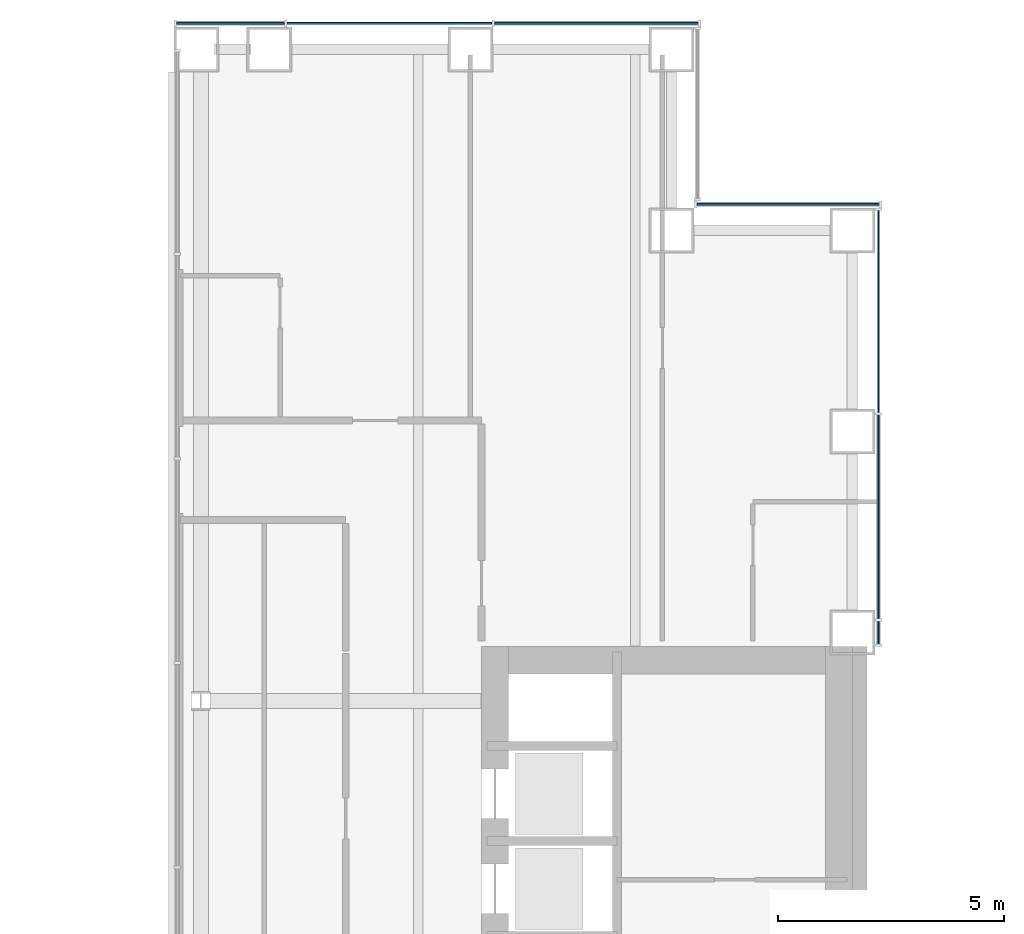
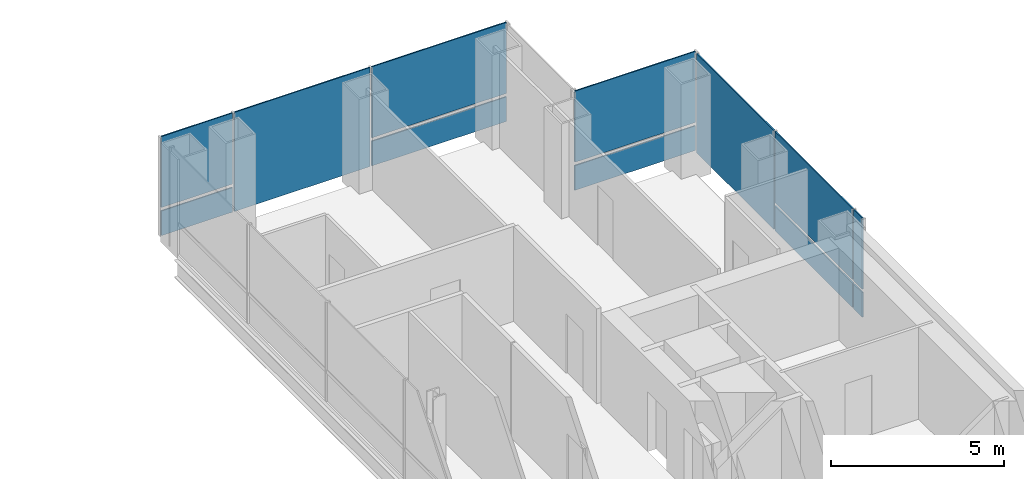
# One storey, part 13 of 19: 12 plates, 3 elements without a shape of their own.
"""IFC4 building model written with IfcOpenShell, lengths in metres."""

from ifc_helpers import new_model, si_unit, direction, frame, origin, origin_2d, place, context, subcontext, project, spatial, rectangle, extrude, material, layer, layer_set, type_object, element, aggregate, save


model = new_model("IFC4")

# Units and contexts
model_context = context("Model", 3, precision=1e-05, world=origin(), true_north=direction((0.0, 1.0)))
body_context = subcontext(model_context, "Body", "Model", "MODEL_VIEW")
ifc_project = project(units=[si_unit("LENGTHUNIT", "METRE"), si_unit("AREAUNIT", "SQUARE_METRE"), si_unit("VOLUMEUNIT", "CUBIC_METRE"), si_unit("PLANEANGLEUNIT", "RADIAN"), si_unit("MASSUNIT", "GRAM", prefix="KILO")], contexts=[model_context])

# Site, building, storey
site_placement = place(None, origin())
site = spatial("IfcSite", under=ifc_project, at=site_placement, CompositionType="ELEMENT")
building_placement = place(site_placement, origin())
building = spatial("IfcBuilding", under=site, at=building_placement, Name="Cobrizo Arcos Hotel Tower", CompositionType="ELEMENT")
storey_placement = place(building_placement, frame((0.0, 0.0, 70.5)))
storey = spatial("IfcBuildingStorey", under=building, at=storey_placement, Name="L16", CompositionType="ELEMENT", Elevation=70.5)

# Curtain wall, plates
ifc_material_1 = material(Name="Aluminium 6063-T6 anodised bronze", Category="aluminium")
curtain_wall_type = type_object("IfcCurtainWallType", Name="CW-A guest facade", PredefinedType="NOTDEFINED", material=ifc_material_1)
curtain_wall_1_placement = place(storey_placement, origin())
curtain_wall_1 = element("IfcCurtainWall", 1, at=curtain_wall_1_placement, inside=storey, type_object=curtain_wall_type, Name="CW-A L16 E face", PredefinedType="NOTDEFINED")
ifc_material_2 = material(Name="Glass clear laminated low-e", Category="glass")
ifc_layer_1 = layer(ifc_material_2, 0.0400390625)
ifc_layer_set_1 = layer_set([ifc_layer_1], Name="CW-A glass panel")
plate_type_1 = type_object("IfcPlateType", Name="CW-A glass panel", PredefinedType="CURTAIN_PANEL", material=ifc_layer_set_1)
plate_1_placement = place(storey_placement, frame((24.574951171875, 11.109375, 0.990234375), z_axis=(0.0, 0.0, 1.0), x_axis=(0.0, 1.0, 0.0)))
plate_1 = element("IfcPlate", 2, at=plate_1_placement, type_object=plate_type_1, Name="CW-A glass panel 696", PredefinedType="CURTAIN_PANEL", context=body_context, shape_type="SweptSolid", body=[
    extrude(rectangle(XDim=0.498779296875, YDim=0.0400390625, at=origin_2d()), origin(), (0.0, 0.0, 1.0), 2.510009765625),
])
plate_2_placement = place(storey_placement, frame((24.574951171875, 13.666748046875, 0.990234375), z_axis=(0.0, 0.0, 1.0), x_axis=(0.0, 1.0, 0.0)))
plate_2 = element("IfcPlate", 3, at=plate_2_placement, type_object=plate_type_1, Name="CW-A glass panel 697", PredefinedType="CURTAIN_PANEL", context=body_context, shape_type="SweptSolid", body=[
    extrude(rectangle(XDim=4.49560546875, YDim=0.0400390625, at=origin_2d()), origin(), (0.0, 0.0, 1.0), 2.510009765625),
])

# Curtain wall, plate
curtain_wall_2_placement = place(storey_placement, origin())
curtain_wall_2 = element("IfcCurtainWall", 4, at=curtain_wall_2_placement, inside=storey, type_object=curtain_wall_type, Name="CW-A L16 N face", PredefinedType="NOTDEFINED")
plate_3_placement = place(storey_placement, frame((22.574951171875, 20.574951171875, 0.990234375), z_axis=(0.0, 0.0, 1.0), x_axis=(-1.0, 0.0, 0.0)))
plate_3 = element("IfcPlate", 5, at=plate_3_placement, type_object=plate_type_1, Name="CW-A glass panel 699", PredefinedType="CURTAIN_PANEL", context=body_context, shape_type="SweptSolid", body=[
    extrude(rectangle(XDim=4.030029296875, YDim=0.0400390625, at=origin_2d()), origin(), (0.0, 0.0, 1.0), 2.510009765625),
])

# Curtain wall, plates
curtain_wall_3_placement = place(storey_placement, origin())
curtain_wall_3 = element("IfcCurtainWall", 6, at=curtain_wall_3_placement, inside=storey, type_object=curtain_wall_type, Name="CW-A L16 N face", PredefinedType="NOTDEFINED")
plate_4_placement = place(storey_placement, frame((18.340576171875, 24.574951171875, 0.990234375), z_axis=(0.0, 0.0, 1.0), x_axis=(-1.0, 0.0, 0.0)))
plate_4 = element("IfcPlate", 7, at=plate_4_placement, type_object=plate_type_1, Name="CW-A glass panel 701", PredefinedType="CURTAIN_PANEL", context=body_context, shape_type="SweptSolid", body=[
    extrude(rectangle(XDim=4.498779296875, YDim=0.0400390625, at=origin_2d()), origin(), (0.0, 0.0, 1.0), 2.510009765625),
])
plate_5_placement = place(storey_placement, frame((10.251220703125, 24.574951171875, 0.990234375), z_axis=(0.0, 0.0, 1.0), x_axis=(-1.0, 0.0, 0.0)))
plate_5 = element("IfcPlate", 8, at=plate_5_placement, type_object=plate_type_1, Name="CW-A glass panel 703", PredefinedType="CURTAIN_PANEL", context=body_context, shape_type="SweptSolid", body=[
    extrude(rectangle(XDim=2.38232421875, YDim=0.0400390625, at=origin_2d()), origin(), (0.0, 0.0, 1.0), 2.510009765625),
])

# Plate
ifc_material_3 = material(Name="Aluminium composite panel pale metal", Category="aluminium")
ifc_layer_2 = layer(ifc_material_3, 0.0400390625)
ifc_layer_set_2 = layer_set([ifc_layer_2], Name="CW-A spandrel panel")
plate_type_2 = type_object("IfcPlateType", Name="CW-A spandrel panel", PredefinedType="CURTAIN_PANEL", material=ifc_layer_set_2)
plate_6_placement = place(storey_placement, frame((24.574951171875, 11.109375, 0.0), z_axis=(0.0, 0.0, 1.0), x_axis=(0.0, 1.0, 0.0)))
plate_6 = element("IfcPlate", 9, at=plate_6_placement, type_object=plate_type_2, Name="CW-A spandrel panel 696", PredefinedType="CURTAIN_PANEL", context=body_context, shape_type="SweptSolid", body=[
    extrude(rectangle(XDim=0.498779296875, YDim=0.0400390625, at=origin_2d()), origin(), (0.0, 0.0, 1.0), 0.8701171875),
])

plate_7_placement = place(storey_placement, frame((24.574951171875, 13.666748046875, 0.0), z_axis=(0.0, 0.0, 1.0), x_axis=(0.0, 1.0, 0.0)))
plate_7 = element("IfcPlate", 10, at=plate_7_placement, type_object=plate_type_2, Name="CW-A spandrel panel 697", PredefinedType="CURTAIN_PANEL", context=body_context, shape_type="SweptSolid", body=[
    extrude(rectangle(XDim=4.49560546875, YDim=0.0400390625, at=origin_2d()), origin(), (0.0, 0.0, 1.0), 0.8701171875),
])

plate_8_placement = place(storey_placement, frame((24.574951171875, 18.207275390625, 0.0), z_axis=(0.0, 0.0, 1.0), x_axis=(0.0, 1.0, 0.0)))
plate_8 = element("IfcPlate", 11, at=plate_8_placement, type_object=plate_type_2, Name="CW-A spandrel panel 698", PredefinedType="CURTAIN_PANEL", context=body_context, shape_type="SweptSolid", body=[
    extrude(rectangle(XDim=4.465576171875, YDim=0.0400390625, at=origin_2d()), origin(), (0.0, 0.0, 1.0), 3.5),
])

aggregate(curtain_wall_1, [plate_6, plate_1, plate_7, plate_2, plate_8])

plate_9_placement = place(storey_placement, frame((22.574951171875, 20.574951171875, 0.0), z_axis=(0.0, 0.0, 1.0), x_axis=(-1.0, 0.0, 0.0)))
plate_9 = element("IfcPlate", 12, at=plate_9_placement, type_object=plate_type_2, Name="CW-A spandrel panel 699", PredefinedType="CURTAIN_PANEL", context=body_context, shape_type="SweptSolid", body=[
    extrude(rectangle(XDim=4.030029296875, YDim=0.0400390625, at=origin_2d()), origin(), (0.0, 0.0, 1.0), 0.8701171875),
])

aggregate(curtain_wall_2, [plate_9, plate_3])

plate_10_placement = place(storey_placement, frame((18.340576171875, 24.574951171875, 0.0), z_axis=(0.0, 0.0, 1.0), x_axis=(-1.0, 0.0, 0.0)))
plate_10 = element("IfcPlate", 13, at=plate_10_placement, type_object=plate_type_2, Name="CW-A spandrel panel 701", PredefinedType="CURTAIN_PANEL", context=body_context, shape_type="SweptSolid", body=[
    extrude(rectangle(XDim=4.498779296875, YDim=0.0400390625, at=origin_2d()), origin(), (0.0, 0.0, 1.0), 0.8701171875),
])

plate_11_placement = place(storey_placement, frame((13.7666015625, 24.574951171875, 0.0), z_axis=(0.0, 0.0, 1.0), x_axis=(-1.0, 0.0, 0.0)))
plate_11 = element("IfcPlate", 14, at=plate_11_placement, type_object=plate_type_2, Name="CW-A spandrel panel 702", PredefinedType="CURTAIN_PANEL", context=body_context, shape_type="SweptSolid", body=[
    extrude(rectangle(XDim=4.52880859375, YDim=0.0400390625, at=origin_2d()), origin(), (0.0, 0.0, 1.0), 3.5),
])

plate_12_placement = place(storey_placement, frame((10.251220703125, 24.574951171875, 0.0), z_axis=(0.0, 0.0, 1.0), x_axis=(-1.0, 0.0, 0.0)))
plate_12 = element("IfcPlate", 15, at=plate_12_placement, type_object=plate_type_2, Name="CW-A spandrel panel 703", PredefinedType="CURTAIN_PANEL", context=body_context, shape_type="SweptSolid", body=[
    extrude(rectangle(XDim=2.38232421875, YDim=0.0400390625, at=origin_2d()), origin(), (0.0, 0.0, 1.0), 0.8701171875),
])

aggregate(curtain_wall_3, [plate_10, plate_4, plate_11, plate_12, plate_5])

save(model, "model.ifc")
